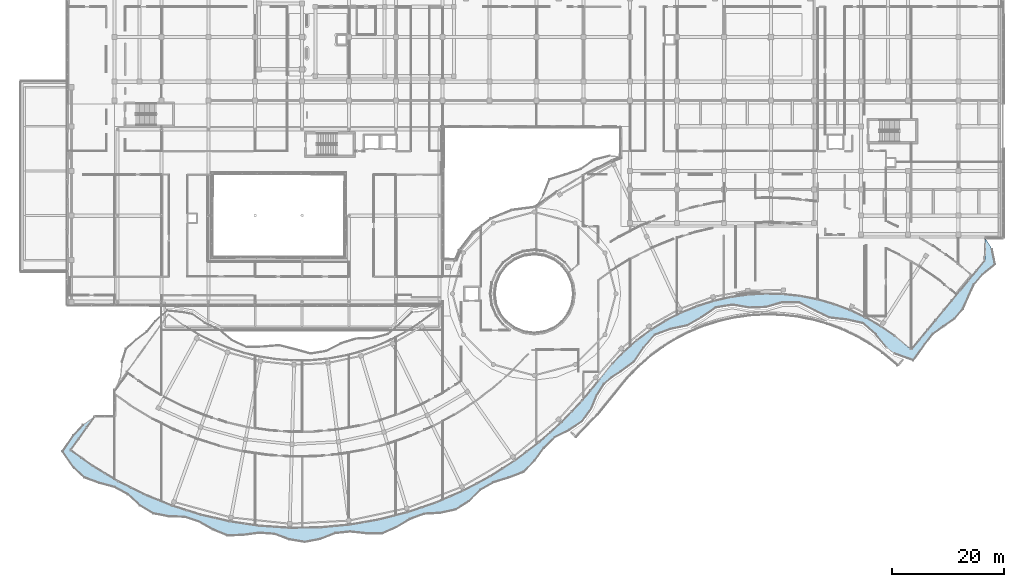
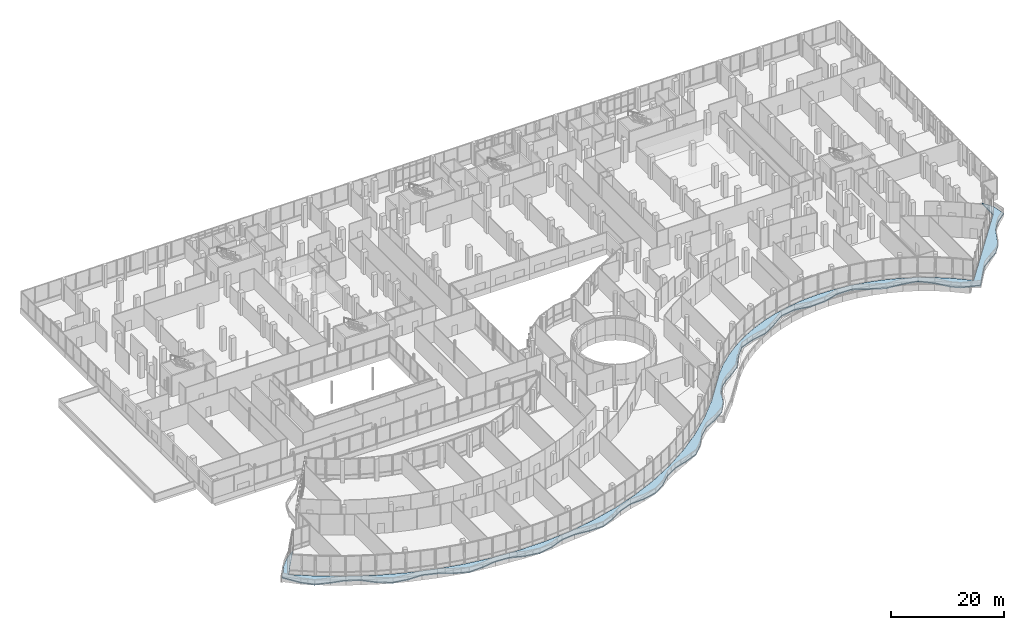
# One storey, part 127 of 168: 1 slab.
"""IFC4 building model written with IfcOpenShell, lengths in metres."""

from ifc_helpers import new_model, si_unit, direction, frame, origin, place, context, subcontext, project, spatial, polyline, outline, extrude, material, layer, layer_set, type_object, element, save


model = new_model("IFC4")

# Units and contexts
model_context = context("Model", 3, precision=1e-05, world=origin(), true_north=direction((0.0, 1.0)))
body_context = subcontext(model_context, "Body", "Model", "MODEL_VIEW")
ifc_project = project(units=[si_unit("LENGTHUNIT", "METRE"), si_unit("AREAUNIT", "SQUARE_METRE"), si_unit("VOLUMEUNIT", "CUBIC_METRE"), si_unit("PLANEANGLEUNIT", "RADIAN"), si_unit("MASSUNIT", "GRAM", prefix="KILO")], contexts=[model_context])

# Site, building, storey
site_placement = place(None, origin())
site = spatial("IfcSite", under=ifc_project, at=site_placement, CompositionType="ELEMENT")
building_placement = place(site_placement, origin())
building = spatial("IfcBuilding", under=site, at=building_placement, Name="Selatvlak General Hospital", CompositionType="ELEMENT")
storey_placement = place(building_placement, frame((0.0, 0.0, 5.39990234375)))
storey = spatial("IfcBuildingStorey", under=building, at=storey_placement, Name="L01", CompositionType="ELEMENT", Elevation=5.39990234375)

# Slab
ifc_material = material(Name="Concrete C40/50", Category="concrete")
ifc_layer = layer(ifc_material, 0.22998046875, Name="Concrete C40/50", Category="concrete")
ifc_layer_set = layer_set([ifc_layer], Name="Concrete C40/50")
slab_type = type_object("IfcSlabType", Name="SLAB-SL-BL1", PredefinedType="FLOOR", material=ifc_layer_set)
slab_placement = place(storey_placement, frame((0.0, 0.0, -0.22998046875)))
element("IfcSlab", 1, at=slab_placement, inside=storey, type_object=slab_type, Name="L01 S-curve sunshade balcony 1", PredefinedType="FLOOR", context=body_context, shape_type="SweptSolid", body=[
    extrude(outline(polyline([(176.7919921875, 55.623046875), (175.803955078125, 53.446044921875), (174.824951171875, 51.262939453125), (173.340087890625, 49.498046875), (171.364990234375, 48.139892578125), (169.426025390625, 46.7509765625), (168.012939453125, 44.927001953125), (165.945068359375, 42.048095703125), (162.552978515625, 43.26806640625), (161.178955078125, 44.320068359375), (159.219970703125, 46.68310546875), (156.923095703125, 48.69091796875), (153.928955078125, 49.361083984375), (150.923095703125, 49.69091796875), (148.25, 50.9609375), (145.4951171875, 52.386962890625), (142.47998046875, 52.43896484375), (139.5029296875, 51.58203125), (136.593994140625, 51.471923828125), (133.533935546875, 52.0048828125), (130.56396484375, 51.52099609375), (128.001953125, 49.764892578125), (125.452880859375, 48.2890625), (122.468017578125, 47.678955078125), (119.60791015625, 46.614990234375), (117.597900390625, 44.302978515625), (115.89501953125, 41.799072265625), (113.4990234375, 40.02490234375), (111.944091796875, 39.032958984375), (110.507080078125, 37.799072265625), (109.22412109375, 35.77392578125), (108.243896484375, 33.386962890625), (106.60888671875, 31.12890625), (104.27001953125, 29.5439453125), (101.708984375, 28.26806640625), (99.74609375, 26.360107421875), (98.06689453125, 24.044921875), (96.092041015625, 22.0390625), (93.43798828125, 21.01708984375), (90.721923828125, 20.19091796875), (88.35400390625, 18.830078125), (86.298095703125, 16.804931640625), (83.93408203125, 15.299072265625), (81.179931640625, 14.698974609375), (78.31201171875, 14.537109375), (75.740966796875, 13.59912109375), (73.2958984375, 12.131103515625), (70.714111328125, 10.993896484375), (67.882080078125, 11.029052734375), (65.052978515625, 11.343017578125), (62.3330078125, 11.070068359375), (59.652099609375, 10.014892578125), (56.89208984375, 9.489013671875), (54.1201171875, 9.950927734375), (51.4140625, 10.93505859375), (48.68798828125, 11.1298828125), (45.867919921875, 10.741943359375), (43.0380859375, 10.639892578125), (40.427001953125, 11.718017578125), (37.944091796875, 13.123046875), (35.34912109375, 13.987060546875), (32.47900390625, 14.072021484375), (29.714111328125, 14.60693359375), (27.31494140625, 16.056884765625), (25.20703125, 18.027099609375), (22.799072265625, 19.322021484375), (20.06103515625, 20.075927734375), (17.39306640625, 21.030029296875), (15.555908203125, 22.741943359375), (13.452880859375, 25.740966796875), (15.447021484375, 28.631103515625), (17.14501953125, 30.468994140625), (19.157958984375, 31.919921875), (19.2060546875, 31.919921875), (14.9150390625, 25.955078125), (18.7958984375, 23.172119140625), (23.389892578125, 20.39404296875), (28.18896484375, 17.990966796875), (33.1630859375, 15.97509765625), (38.280029296875, 14.362060546875), (43.511962890625, 13.159912109375), (48.821044921875, 12.3779296875), (54.176025390625, 12.02001953125), (59.54296875, 12.087890625), (64.887939453125, 12.5830078125), (70.176025390625, 13.5009765625), (75.37109375, 14.833984375), (80.449951171875, 16.576904296875), (85.3720703125, 18.719970703125), (90.10498046875, 21.2451171875), (94.626953125, 24.137939453125), (98.903076171875, 27.383056640625), (102.906982421875, 30.9541015625), (106.615966796875, 34.8349609375), (109.6279296875, 38.51611328125), (111.972900390625, 41.406005859375), (114.135009765625, 43.64501953125), (116.47509765625, 45.696044921875), (118.97705078125, 47.547119140625), (121.6220703125, 49.18310546875), (124.39794921875, 50.593994140625), (127.279052734375, 51.77099609375), (130.2451171875, 52.7041015625), (133.281982421875, 53.387939453125), (136.364990234375, 53.819091796875), (139.468994140625, 53.990966796875), (142.5810546875, 53.906005859375), (145.675048828125, 53.56298828125), (148.72998046875, 52.965087890625), (151.720947265625, 52.115966796875), (154.633056640625, 51.02099609375), (157.447021484375, 49.68896484375), (160.138916015625, 48.126953125), (162.69189453125, 46.34912109375), (165.55908203125, 43.9580078125), (178.803955078125, 59.945068359375), (178.804931640625, 63.919921875), (178.85009765625, 63.919921875), (180.05810546875, 61.97412109375), (180.587890625, 59.256103515625), (178.2939453125, 57.373046875), (176.7919921875, 55.623046875)])), origin(), (0.0, 0.0, 1.0), 0.22998046875),
])

save(model, "model.ifc")
